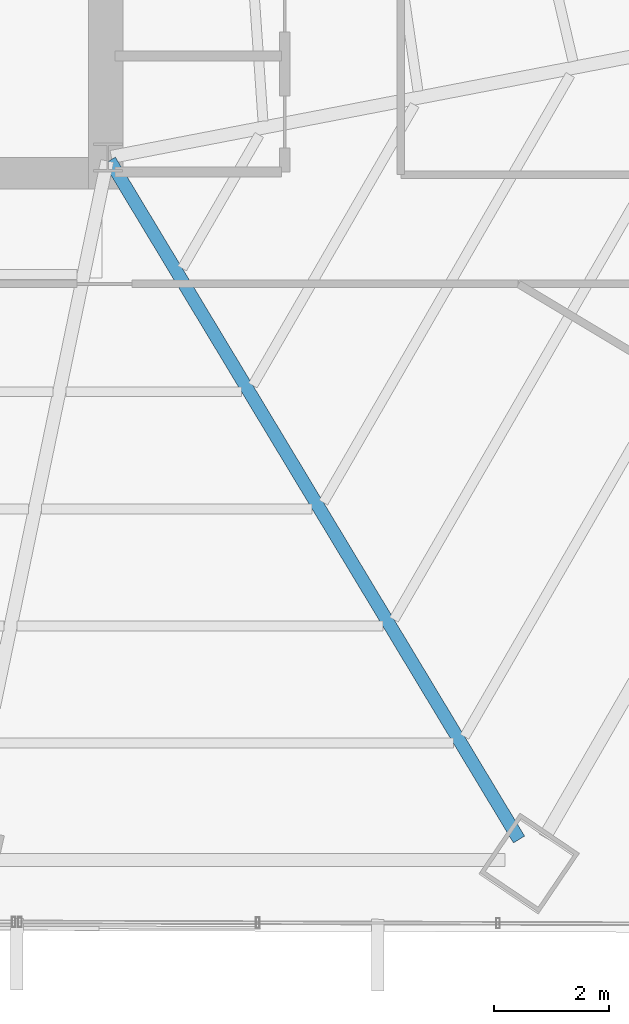
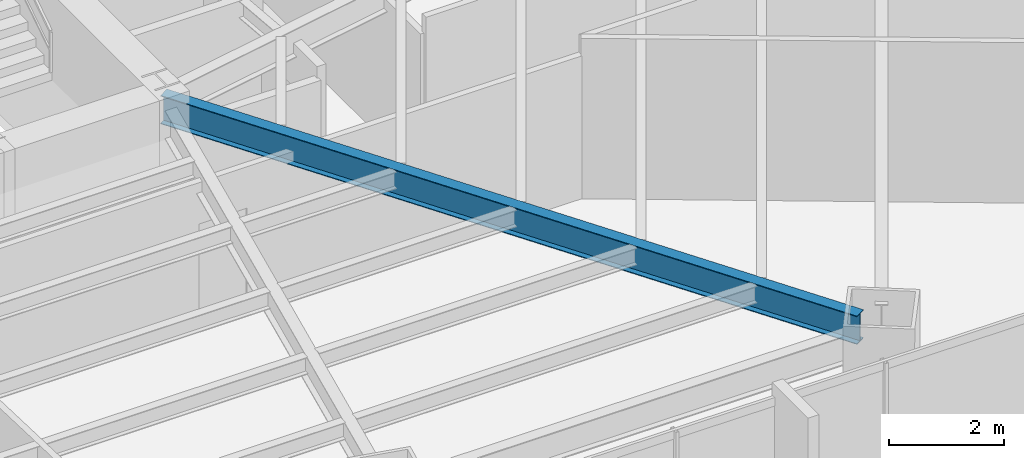
# One storey, part 13 of 33: 1 beam.
"""IFC4 building model written with IfcOpenShell, lengths in metres."""

from ifc_helpers import new_model, si_unit, direction, frame, origin, origin_2d, place, context, subcontext, project, spatial, i_section, extrude, source, transform, mapped, material, material_profile, profile_set, type_object, type_shapes, element, save


model = new_model("IFC4")

# Units and contexts
model_context = context("Model", 3, precision=1e-05, world=origin(), true_north=direction((0.0, 1.0)))
body_context = subcontext(model_context, "Body", "Model", "MODEL_VIEW")
ifc_project = project(units=[si_unit("LENGTHUNIT", "METRE"), si_unit("AREAUNIT", "SQUARE_METRE"), si_unit("VOLUMEUNIT", "CUBIC_METRE"), si_unit("PLANEANGLEUNIT", "RADIAN"), si_unit("MASSUNIT", "GRAM", prefix="KILO")], contexts=[model_context])

# Site, building, storey
site_placement = place(None, origin())
site = spatial("IfcSite", under=ifc_project, at=site_placement, CompositionType="ELEMENT")
building_placement = place(site_placement, origin())
building = spatial("IfcBuilding", under=site, at=building_placement, Name="Caelisora Broadcast Tower", CompositionType="ELEMENT")
storey_placement = place(building_placement, frame((0.0, 0.0, 42.199951171875)))
storey = spatial("IfcBuildingStorey", under=building, at=storey_placement, Name="L10", CompositionType="ELEMENT", Elevation=42.199951171875)

# Beam
ifc_material = material(Name="Steel Grade 350 (AS/NZS 3679.1)", Category="steel")
ifc_material_profile = material_profile(ifc_material, i_section(OverallWidth=0.22802734375, OverallDepth=0.602294921875, WebThickness=0.010498046875, FlangeThickness=0.014892578125, at=origin_2d()), Name="Steel Grade 350 (AS/NZS 3679.1)")
ifc_profile_set = profile_set([ifc_material_profile], Name="Steel Grade 350 (AS/NZS 3679.1)")
beam_type = type_object("IfcBeamType", Name="PG04", PredefinedType="BEAM", material=ifc_profile_set)
shared_shape = source(origin(), body_context, "Body", "SweptSolid", [
    extrude(i_section(OverallWidth=0.22802734375, OverallDepth=0.602294921875, WebThickness=0.010498046875, FlangeThickness=0.014892578125, at=origin_2d()), origin(), (0.0, 0.0, 1.0), 13.810546875),
])
type_shapes(beam_type, [shared_shape])
beam_placement = place(storey_placement, frame((45.531005859375, 17.3486328125, 3.098876953125), z_axis=(0.516301400979, -0.856406949614, 0.0), x_axis=(0.856406949614, 0.516301400979, 0.0)))
element("IfcBeam", 1, at=beam_placement, inside=storey, type_object=beam_type, Name="L10 beam PG04", PredefinedType="BEAM", context=body_context, shape_type="MappedRepresentation", body=[
    mapped(shared_shape, transform((0.0, 0.0, 0.0), scale=1.0)),
])

save(model, "model.ifc")
